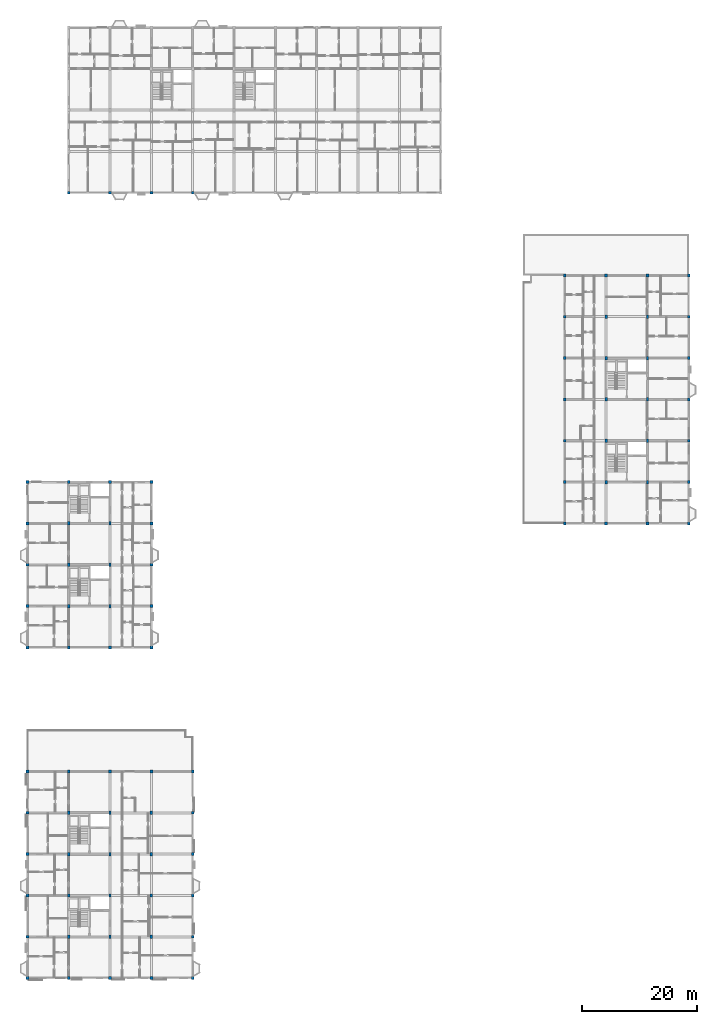
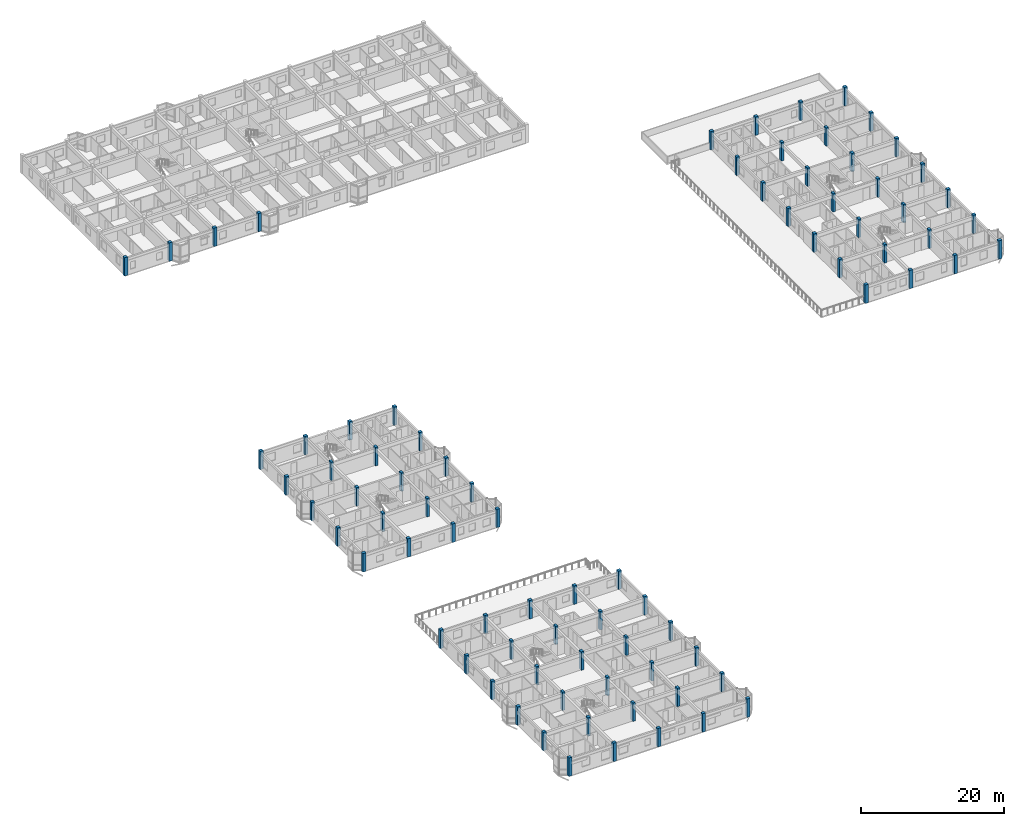
# One storey, part 1 of 70: 82 columns.
"""IFC4 building model written with IfcOpenShell, lengths in metres."""

import ifcopenshell
import ifcopenshell.guid

model = None  # the IFC model being written
_history = None  # IfcOwnerHistory: only IFC2X3 demands one
_inside = {}  # id of a spatial element -> (the spatial element, [elements in it])
_under = {}  # id of a project, library or spatial element -> (it, [spatial elements below it])
_declared = {}  # id of a project -> (the project, [libraries it declares])
_typed = {}  # id of a type object -> (the type object, [elements of that type])
_made_of = {}  # id of a material, layer set ... -> (it, [elements and type objects made of it])


def new_model(schema):
    """Start an empty IFC model of exactly this schema.

    Asked for "IFC4X3", IfcOpenShell would pick the latest addendum, in which some entities
    have other attributes; the version numbers below select the first issue.
    IFC2X3 requires an IfcOwnerHistory on every rooted entity: one is made here for all.
    """
    global model, _history
    if schema == "IFC4X3":
        model = ifcopenshell.file(schema_version=(4, 3, 0, 0))
    else:
        model = ifcopenshell.file(schema=schema)
    _inside.clear()
    _under.clear()
    _declared.clear()
    _typed.clear()
    _made_of.clear()
    _history = None
    if model.schema == "IFC2X3":
        org = make("IfcOrganization", Name="unknown")
        user = make(
            "IfcPersonAndOrganization",
            ThePerson=make("IfcPerson", FamilyName="unknown"),
            TheOrganization=org,
        )
        app = make(
            "IfcApplication",
            ApplicationDeveloper=org,
            Version="unknown",
            ApplicationFullName="unknown",
            ApplicationIdentifier="unknown",
        )
        _history = make(
            "IfcOwnerHistory",
            OwningUser=user,
            OwningApplication=app,
            ChangeAction="ADDED",
            CreationDate=0,
        )
    return model


def make(cls, **values):
    """One entity of the class cls with the attributes given. An attribute that is None is left unset."""
    return model.create_entity(
        cls, **{name: value for name, value in values.items() if value is not None}
    )


def rooted(cls, **values):
    """An entity with a GlobalId (a new one), such as an element, a storey or a relation."""
    return make(cls, GlobalId=ifcopenshell.guid.new(), OwnerHistory=_history, **values)


def si_unit(unit_type, name, prefix=None):
    """IfcSIUnit, for example si_unit("LENGTHUNIT", "METRE", prefix="MILLI")."""
    return make("IfcSIUnit", UnitType=unit_type, Prefix=prefix, Name=name)


def assignment(units):
    """IfcUnitAssignment: the units of a project."""
    return None if units is None else make("IfcUnitAssignment", Units=units)


def point(xyz):
    """IfcCartesianPoint."""
    return None if xyz is None else make("IfcCartesianPoint", Coordinates=xyz)


def direction(xyz):
    """IfcDirection."""
    return None if xyz is None else make("IfcDirection", DirectionRatios=xyz)


def frame(location, z_axis=None, x_axis=None):
    """IfcAxis2Placement3D, a coordinate frame: its origin and axes. An axis left out is left unset."""
    return make(
        "IfcAxis2Placement3D",
        Location=point(location),
        Axis=direction(z_axis),
        RefDirection=direction(x_axis),
    )


def frame_2d(location, x_axis=None):
    """IfcAxis2Placement2D, a coordinate frame in the plane: its origin and x axis."""
    return make(
        "IfcAxis2Placement2D", Location=point(location), RefDirection=direction(x_axis)
    )


def origin():
    """The frame at (0, 0, 0) with its axes left unset."""
    return frame((0.0, 0.0, 0.0))


def origin_2d():
    """The frame at (0, 0) in the plane with its x axis left unset."""
    return frame_2d((0.0, 0.0))


def place(relative_to, where):
    """IfcLocalPlacement: puts the frame where relative to a parent placement (None: the world)."""
    return make(
        "IfcLocalPlacement", PlacementRelTo=relative_to, RelativePlacement=where
    )


def context(
    kind, dimensions, precision=None, world=None, true_north=None, identifier=None
):
    """IfcGeometricRepresentationContext, for example the 3D "Model" context."""
    return make(
        "IfcGeometricRepresentationContext",
        ContextIdentifier=identifier,
        ContextType=kind,
        CoordinateSpaceDimension=dimensions,
        Precision=precision,
        WorldCoordinateSystem=world,
        TrueNorth=true_north,
    )


def subcontext(parent, identifier, kind, view, scale=None):
    """IfcGeometricRepresentationSubContext, for example "Body" below "Model"."""
    return make(
        "IfcGeometricRepresentationSubContext",
        ContextIdentifier=identifier,
        ContextType=kind,
        ParentContext=parent,
        TargetScale=scale,
        TargetView=view,
    )


def project(units=None, contexts=None):
    """IfcProject with its units and contexts."""
    return rooted(
        "IfcProject",
        Name="project",
        RepresentationContexts=contexts,
        UnitsInContext=assignment(units),
    )


def spatial(cls, under=None, at=None, **own):
    """A site, building, storey or space (cls), placed at a placement, below another one or the project."""
    s = rooted(cls, ObjectPlacement=at, **own)
    if under is not None:
        _under.setdefault(under.id(), (under, []))[1].append(s)
    return s


def profile(cls, at=None, kind="AREA", **sizes):
    """A parametric profile (cls). Its sizes go by their IFC names, for example OverallWidth=200.0."""
    return make(cls, ProfileType=kind, Position=at, **sizes)


def rectangle(**sizes):
    """IfcRectangleProfileDef."""
    return profile("IfcRectangleProfileDef", **sizes)


def extrude(swept, where, along, depth):
    """IfcExtrudedAreaSolid: the profile swept, set in the frame where, extruded along a direction by depth."""
    return make(
        "IfcExtrudedAreaSolid",
        SweptArea=swept,
        Position=where,
        ExtrudedDirection=direction(along),
        Depth=depth,
    )


def shape(context_of_items, identifier, shape_type, items):
    """IfcShapeRepresentation: the items that make up one representation, for example the "Body"."""
    return make(
        "IfcShapeRepresentation",
        ContextOfItems=context_of_items,
        RepresentationIdentifier=identifier,
        RepresentationType=shape_type,
        Items=items,
    )


def material(Name=None, Category=None):
    """IfcMaterial."""
    return make("IfcMaterial", Name=Name, Category=Category)


def material_profile(
    of_material, cross_section, Name=None, Category=None, Priority=None
):
    """IfcMaterialProfile: a cross section and its material."""
    return make(
        "IfcMaterialProfile",
        Name=Name,
        Material=of_material,
        Profile=cross_section,
        Priority=Priority,
        Category=Category,
    )


def profile_set(profiles, Name=None, composite=None):
    """IfcMaterialProfileSet."""
    return make(
        "IfcMaterialProfileSet",
        Name=Name,
        MaterialProfiles=profiles,
        CompositeProfile=composite,
    )


def made_of(thing, what):
    """Note that an element or type object is made of a material, layer set ...; save() writes the relation."""
    if what is not None:
        _made_of.setdefault(what.id(), (what, []))[1].append(thing)
    return thing


def type_object(cls, material=None, **own):
    """A type object (cls), such as IfcWallType, which elements share."""
    return made_of(rooted(cls, **own), material)


def element(
    cls,
    number,
    at=None,
    inside=None,
    cuts=None,
    type_object=None,
    material=None,
    context=None,
    identifier="Body",
    shape_type=None,
    held_by="IfcProductDefinitionShape",
    body=None,
    shapes=None,
    **own,
):
    """One element of the class cls, such as IfcWall. Its Tag is "e" and its number.

    at: its placement. inside: the storey or other place that contains it. cuts: it is an
    opening in that element (IfcRelVoidsElement). A single representation is given by context,
    identifier, shape_type and body (its items); several are given by shapes. held_by: the class
    of the entity that holds the representations. save() writes the other relations.
    """
    e = rooted(cls, Tag="e%d" % number, ObjectPlacement=at, **own)
    if body is not None:
        shapes = [shape(context, identifier, shape_type, body)]
    if shapes is not None:
        e.Representation = make(held_by, Representations=shapes)
    if inside is not None:
        _inside.setdefault(inside.id(), (inside, []))[1].append(e)
    if cuts is not None:
        rooted(
            "IfcRelVoidsElement", RelatingBuildingElement=cuts, RelatedOpeningElement=e
        )
    if type_object is not None:
        _typed.setdefault(type_object.id(), (type_object, []))[1].append(e)
    return made_of(e, material)


def aggregate(whole, parts):
    """IfcRelAggregates: a whole, such as a stair, and the parts it consists of."""
    return rooted("IfcRelAggregates", RelatingObject=whole, RelatedObjects=parts)


def save(model, path):
    """Write the relations noted so far, then the file.

    IfcRelAggregates (storeys below a building ...), IfcRelContainedInSpatialStructure (elements
    in a storey), IfcRelDefinesByType, IfcRelAssociatesMaterial and IfcRelDeclares: one each for
    every whole, place, type object, material and project.
    """
    for whole, parts in _under.values():
        aggregate(whole, parts)
    for where, things in _inside.values():
        rooted(
            "IfcRelContainedInSpatialStructure",
            RelatedElements=things,
            RelatingStructure=where,
        )
    for kind, things in _typed.values():
        rooted("IfcRelDefinesByType", RelatedObjects=things, RelatingType=kind)
    for what, things in _made_of.values():
        rooted("IfcRelAssociatesMaterial", RelatedObjects=things, RelatingMaterial=what)
    for by, libraries in _declared.values():
        rooted("IfcRelDeclares", RelatingContext=by, RelatedDefinitions=libraries)
    model.write(path)


model = new_model("IFC4")

# Units and contexts
model_context = context("Model", 3, precision=1e-05, world=origin(), true_north=direction((0.0, 1.0)))
body_context = subcontext(model_context, "Body", "Model", "MODEL_VIEW")
ifc_project = project(units=[si_unit("LENGTHUNIT", "METRE"), si_unit("AREAUNIT", "SQUARE_METRE"), si_unit("VOLUMEUNIT", "CUBIC_METRE"), si_unit("PLANEANGLEUNIT", "RADIAN"), si_unit("MASSUNIT", "GRAM", prefix="KILO"), si_unit("THERMODYNAMICTEMPERATUREUNIT", "KELVIN"), si_unit("POWERUNIT", "WATT")], contexts=[model_context])

# Site, building, storey
site_placement = place(None, origin())
site = spatial("IfcSite", under=ifc_project, at=site_placement, CompositionType="ELEMENT")
building_placement = place(site_placement, origin())
building = spatial("IfcBuilding", under=site, at=building_placement, Name="Tavuni Mirador Residences", CompositionType="ELEMENT")
storey_placement = place(building_placement, frame((0.0, 0.0, 23.39990234375)))
storey = spatial("IfcBuildingStorey", under=building, at=storey_placement, Name="L07", CompositionType="ELEMENT", Elevation=23.39990234375)

# Columns
ifc_material = material(Name="Precast concrete C40/50", Category="concrete")
ifc_material_profile_1 = material_profile(ifc_material, rectangle(XDim=0.39990234375, YDim=0.60009765625, at=origin_2d()), Name="RC 400x600", Category="concrete")
ifc_profile_set_1 = profile_set([ifc_material_profile_1], Name="Precast concrete C40/50")
column_type_1 = type_object("IfcColumnType", Name="CT-RC400X600", PredefinedType="COLUMN", material=ifc_profile_set_1)
for number, where, z_axis, x_axis, name in (
    (1, (10.800048828125, 14.39990234375, 0.0), (0.0, 0.0, 1.0), (1.0, 0.0, 0.0), "COL-BLK-A-L07-01-01"),
    (2, (10.800048828125, 21.60009765625, 0.0), (0.0, 0.0, 1.0), (1.0, 0.0, 0.0), "COL-BLK-A-L07-01-02"),
    (3, (10.800048828125, 28.800048828125, 0.0), (0.0, 0.0, 1.0), (1.0, 0.0, 0.0), "COL-BLK-A-L07-01-03"),
    (4, (10.800048828125, 36.0, 0.0), (0.0, 0.0, 1.0), (1.0, 0.0, 0.0), "COL-BLK-A-L07-01-04"),
    (5, (18.0, 14.39990234375, 0.0), (0.0, 0.0, 1.0), (1.0, 0.0, 0.0), "COL-BLK-A-L07-02-01"),
    (6, (18.0, 21.60009765625, 0.0), (0.0, 0.0, 1.0), (1.0, 0.0, 0.0), "COL-BLK-A-L07-02-02"),
    (7, (18.0, 28.800048828125, 0.0), (0.0, 0.0, 1.0), (1.0, 0.0, 0.0), "COL-BLK-A-L07-02-03"),
    (8, (18.0, 36.0, 0.0), (0.0, 0.0, 1.0), (1.0, 0.0, 0.0), "COL-BLK-A-L07-02-04"),
    (9, (25.199951171875, 14.39990234375, 0.0), (0.0, 0.0, 1.0), (1.0, 0.0, 0.0), "COL-BLK-A-L07-03-01"),
    (10, (25.199951171875, 21.60009765625, 0.0), (0.0, 0.0, 1.0), (1.0, 0.0, 0.0), "COL-BLK-A-L07-03-02"),
    (11, (25.199951171875, 28.800048828125, 0.0), (0.0, 0.0, 1.0), (1.0, 0.0, 0.0), "COL-BLK-A-L07-03-03"),
    (12, (25.199951171875, 36.0, 0.0), (0.0, 0.0, 1.0), (1.0, 0.0, 0.0), "COL-BLK-A-L07-03-04"),
    (13, (10.800048828125, 72.0, 0.0), (0.0, 0.0, 1.0), (1.0, 0.0, 0.0), "COL-BLK-B-L07-01-01"),
    (14, (10.800048828125, 79.199951171875, 0.0), (0.0, 0.0, 1.0), (1.0, 0.0, 0.0), "COL-BLK-B-L07-01-02"),
    (15, (10.800048828125, 86.39990234375, 0.0), (0.0, 0.0, 1.0), (1.0, 0.0, 0.0), "COL-BLK-B-L07-01-03"),
    (16, (18.0, 72.0, 0.0), (0.0, 0.0, 1.0), (1.0, 0.0, 0.0), "COL-BLK-B-L07-02-01"),
    (17, (18.0, 79.199951171875, 0.0), (0.0, 0.0, 1.0), (1.0, 0.0, 0.0), "COL-BLK-B-L07-02-02"),
    (18, (18.0, 86.39990234375, 0.0), (0.0, 0.0, 1.0), (1.0, 0.0, 0.0), "COL-BLK-B-L07-02-03"),
    (19, (104.39990234375, 93.60009765625, 0.0), (0.0, 0.0, 1.0), (1.0, 0.0, 0.0), "COL-BLK-D-L07-01-01"),
    (20, (104.39990234375, 100.800048828125, 0.0), (0.0, 0.0, 1.0), (1.0, 0.0, 0.0), "COL-BLK-D-L07-01-02"),
    (21, (104.39990234375, 108.0, 0.0), (0.0, 0.0, 1.0), (1.0, 0.0, 0.0), "COL-BLK-D-L07-01-03"),
    (22, (104.39990234375, 115.199951171875, 0.0), (0.0, 0.0, 1.0), (1.0, 0.0, 0.0), "COL-BLK-D-L07-01-04"),
    (23, (104.39990234375, 122.39990234375, 0.0), (0.0, 0.0, 1.0), (1.0, 0.0, 0.0), "COL-BLK-D-L07-01-05"),
    (24, (111.60009765625, 93.60009765625, 0.0), (0.0, 0.0, 1.0), (1.0, 0.0, 0.0), "COL-BLK-D-L07-02-01"),
    (25, (111.60009765625, 100.800048828125, 0.0), (0.0, 0.0, 1.0), (1.0, 0.0, 0.0), "COL-BLK-D-L07-02-02"),
    (26, (111.60009765625, 108.0, 0.0), (0.0, 0.0, 1.0), (1.0, 0.0, 0.0), "COL-BLK-D-L07-02-03"),
    (27, (111.60009765625, 115.199951171875, 0.0), (0.0, 0.0, 1.0), (1.0, 0.0, 0.0), "COL-BLK-D-L07-02-04"),
    (28, (111.60009765625, 122.39990234375, 0.0), (0.0, 0.0, 1.0), (1.0, 0.0, 0.0), "COL-BLK-D-L07-02-05"),
):
    element("IfcColumn", number, at=place(storey_placement, frame(where, z_axis=z_axis, x_axis=x_axis)), inside=storey, type_object=column_type_1, Name=name, PredefinedType="COLUMN", context=body_context, shape_type="SweptSolid", body=[
        extrude(rectangle(XDim=0.39990234375, YDim=0.60009765625, at=origin_2d()), origin(), (0.0, 0.0, 1.0), 3.150146484375),
    ])
ifc_material_profile_2 = material_profile(ifc_material, rectangle(XDim=0.5, YDim=0.5, at=origin_2d()), Name="RC 500x500", Category="concrete")
ifc_profile_set_2 = profile_set([ifc_material_profile_2], Name="Precast concrete C40/50")
column_type_2 = type_object("IfcColumnType", Name="CT-RC500", PredefinedType="COLUMN", material=ifc_profile_set_2)
for number, where, z_axis, x_axis, name in (
    (29, (3.60009765625, 7.199951171875, 0.0), (0.0, 0.0, 1.0), (1.0, 0.0, 0.0), "COL-BLK-A-L07-00-00"),
    (30, (3.60009765625, 14.39990234375, 0.0), (0.0, 0.0, 1.0), (1.0, 0.0, 0.0), "COL-BLK-A-L07-00-01"),
    (31, (3.60009765625, 21.60009765625, 0.0), (0.0, 0.0, 1.0), (1.0, 0.0, 0.0), "COL-BLK-A-L07-00-02"),
    (32, (3.60009765625, 28.800048828125, 0.0), (0.0, 0.0, 1.0), (1.0, 0.0, 0.0), "COL-BLK-A-L07-00-03"),
    (33, (3.60009765625, 36.0, 0.0), (0.0, 0.0, 1.0), (1.0, 0.0, 0.0), "COL-BLK-A-L07-00-04"),
    (34, (3.60009765625, 43.199951171875, 0.0), (0.0, 0.0, 1.0), (1.0, 0.0, 0.0), "COL-BLK-A-L07-00-05"),
    (35, (10.800048828125, 7.199951171875, 0.0), (0.0, 0.0, 1.0), (1.0, 0.0, 0.0), "COL-BLK-A-L07-01-00"),
    (36, (10.800048828125, 43.199951171875, 0.0), (0.0, 0.0, 1.0), (1.0, 0.0, 0.0), "COL-BLK-A-L07-01-05"),
    (37, (18.0, 7.199951171875, 0.0), (0.0, 0.0, 1.0), (1.0, 0.0, 0.0), "COL-BLK-A-L07-02-00"),
    (38, (18.0, 43.199951171875, 0.0), (0.0, 0.0, 1.0), (1.0, 0.0, 0.0), "COL-BLK-A-L07-02-05"),
    (39, (25.199951171875, 7.199951171875, 0.0), (0.0, 0.0, 1.0), (1.0, 0.0, 0.0), "COL-BLK-A-L07-03-00"),
    (40, (25.199951171875, 43.199951171875, 0.0), (0.0, 0.0, 1.0), (1.0, 0.0, 0.0), "COL-BLK-A-L07-03-05"),
    (41, (32.39990234375, 7.199951171875, 0.0), (0.0, 0.0, 1.0), (1.0, 0.0, 0.0), "COL-BLK-A-L07-04-00"),
    (42, (32.39990234375, 14.39990234375, 0.0), (0.0, 0.0, 1.0), (1.0, 0.0, 0.0), "COL-BLK-A-L07-04-01"),
    (43, (32.39990234375, 21.60009765625, 0.0), (0.0, 0.0, 1.0), (1.0, 0.0, 0.0), "COL-BLK-A-L07-04-02"),
    (44, (32.39990234375, 28.800048828125, 0.0), (0.0, 0.0, 1.0), (1.0, 0.0, 0.0), "COL-BLK-A-L07-04-03"),
    (45, (32.39990234375, 36.0, 0.0), (0.0, 0.0, 1.0), (1.0, 0.0, 0.0), "COL-BLK-A-L07-04-04"),
    (46, (32.39990234375, 43.199951171875, 0.0), (0.0, 0.0, 1.0), (1.0, 0.0, 0.0), "COL-BLK-A-L07-04-05"),
    (47, (3.60009765625, 64.800048828125, 0.0), (0.0, 0.0, 1.0), (1.0, 0.0, 0.0), "COL-BLK-B-L07-00-00"),
    (48, (3.60009765625, 72.0, 0.0), (0.0, 0.0, 1.0), (1.0, 0.0, 0.0), "COL-BLK-B-L07-00-01"),
    (49, (3.60009765625, 79.199951171875, 0.0), (0.0, 0.0, 1.0), (1.0, 0.0, 0.0), "COL-BLK-B-L07-00-02"),
    (50, (3.60009765625, 86.39990234375, 0.0), (0.0, 0.0, 1.0), (1.0, 0.0, 0.0), "COL-BLK-B-L07-00-03"),
    (51, (3.60009765625, 93.60009765625, 0.0), (0.0, 0.0, 1.0), (1.0, 0.0, 0.0), "COL-BLK-B-L07-00-04"),
    (52, (10.800048828125, 64.800048828125, 0.0), (0.0, 0.0, 1.0), (1.0, 0.0, 0.0), "COL-BLK-B-L07-01-00"),
    (53, (10.800048828125, 93.60009765625, 0.0), (0.0, 0.0, 1.0), (1.0, 0.0, 0.0), "COL-BLK-B-L07-01-04"),
    (54, (18.0, 64.800048828125, 0.0), (0.0, 0.0, 1.0), (1.0, 0.0, 0.0), "COL-BLK-B-L07-02-00"),
    (55, (18.0, 93.60009765625, 0.0), (0.0, 0.0, 1.0), (1.0, 0.0, 0.0), "COL-BLK-B-L07-02-04"),
    (56, (25.199951171875, 64.800048828125, 0.0), (0.0, 0.0, 1.0), (1.0, 0.0, 0.0), "COL-BLK-B-L07-03-00"),
    (57, (25.199951171875, 72.0, 0.0), (0.0, 0.0, 1.0), (1.0, 0.0, 0.0), "COL-BLK-B-L07-03-01"),
    (58, (25.199951171875, 79.199951171875, 0.0), (0.0, 0.0, 1.0), (1.0, 0.0, 0.0), "COL-BLK-B-L07-03-02"),
    (59, (25.199951171875, 86.39990234375, 0.0), (0.0, 0.0, 1.0), (1.0, 0.0, 0.0), "COL-BLK-B-L07-03-03"),
    (60, (25.199951171875, 93.60009765625, 0.0), (0.0, 0.0, 1.0), (1.0, 0.0, 0.0), "COL-BLK-B-L07-03-04"),
    (61, (10.800048828125, 144.0, 0.0), (0.0, 0.0, 1.0), (1.0, 0.0, 0.0), "COL-BLK-C-L07-00-00"),
    (62, (18.0, 144.0, 0.0), (0.0, 0.0, 1.0), (1.0, 0.0, 0.0), "COL-BLK-C-L07-01-00"),
    (63, (25.199951171875, 144.0, 0.0), (0.0, 0.0, 1.0), (1.0, 0.0, 0.0), "COL-BLK-C-L07-02-00"),
    (64, (32.39990234375, 144.0, 0.0), (0.0, 0.0, 1.0), (1.0, 0.0, 0.0), "COL-BLK-C-L07-03-00"),
    (65, (97.199951171875, 86.39990234375, 0.0), (0.0, 0.0, 1.0), (1.0, 0.0, 0.0), "COL-BLK-D-L07-00-00"),
    (66, (97.199951171875, 93.60009765625, 0.0), (0.0, 0.0, 1.0), (1.0, 0.0, 0.0), "COL-BLK-D-L07-00-01"),
    (67, (97.199951171875, 100.800048828125, 0.0), (0.0, 0.0, 1.0), (1.0, 0.0, 0.0), "COL-BLK-D-L07-00-02"),
    (68, (97.199951171875, 108.0, 0.0), (0.0, 0.0, 1.0), (1.0, 0.0, 0.0), "COL-BLK-D-L07-00-03"),
    (69, (97.199951171875, 115.199951171875, 0.0), (0.0, 0.0, 1.0), (1.0, 0.0, 0.0), "COL-BLK-D-L07-00-04"),
    (70, (97.199951171875, 122.39990234375, 0.0), (0.0, 0.0, 1.0), (1.0, 0.0, 0.0), "COL-BLK-D-L07-00-05"),
    (71, (97.199951171875, 129.60009765625, 0.0), (0.0, 0.0, 1.0), (1.0, 0.0, 0.0), "COL-BLK-D-L07-00-06"),
    (72, (104.39990234375, 86.39990234375, 0.0), (0.0, 0.0, 1.0), (1.0, 0.0, 0.0), "COL-BLK-D-L07-01-00"),
    (73, (104.39990234375, 129.60009765625, 0.0), (0.0, 0.0, 1.0), (1.0, 0.0, 0.0), "COL-BLK-D-L07-01-06"),
    (74, (111.60009765625, 86.39990234375, 0.0), (0.0, 0.0, 1.0), (1.0, 0.0, 0.0), "COL-BLK-D-L07-02-00"),
    (75, (111.60009765625, 129.60009765625, 0.0), (0.0, 0.0, 1.0), (1.0, 0.0, 0.0), "COL-BLK-D-L07-02-06"),
    (76, (118.800048828125, 86.39990234375, 0.0), (0.0, 0.0, 1.0), (1.0, 0.0, 0.0), "COL-BLK-D-L07-03-00"),
    (77, (118.800048828125, 93.60009765625, 0.0), (0.0, 0.0, 1.0), (1.0, 0.0, 0.0), "COL-BLK-D-L07-03-01"),
    (78, (118.800048828125, 100.800048828125, 0.0), (0.0, 0.0, 1.0), (1.0, 0.0, 0.0), "COL-BLK-D-L07-03-02"),
    (79, (118.800048828125, 108.0, 0.0), (0.0, 0.0, 1.0), (1.0, 0.0, 0.0), "COL-BLK-D-L07-03-03"),
    (80, (118.800048828125, 115.199951171875, 0.0), (0.0, 0.0, 1.0), (1.0, 0.0, 0.0), "COL-BLK-D-L07-03-04"),
    (81, (118.800048828125, 122.39990234375, 0.0), (0.0, 0.0, 1.0), (1.0, 0.0, 0.0), "COL-BLK-D-L07-03-05"),
    (82, (118.800048828125, 129.60009765625, 0.0), (0.0, 0.0, 1.0), (1.0, 0.0, 0.0), "COL-BLK-D-L07-03-06"),
):
    element("IfcColumn", number, at=place(storey_placement, frame(where, z_axis=z_axis, x_axis=x_axis)), inside=storey, type_object=column_type_2, Name=name, PredefinedType="COLUMN", context=body_context, shape_type="SweptSolid", body=[
        extrude(rectangle(XDim=0.5, YDim=0.5, at=origin_2d()), origin(), (0.0, 0.0, 1.0), 3.150146484375),
    ])

save(model, "model.ifc")
